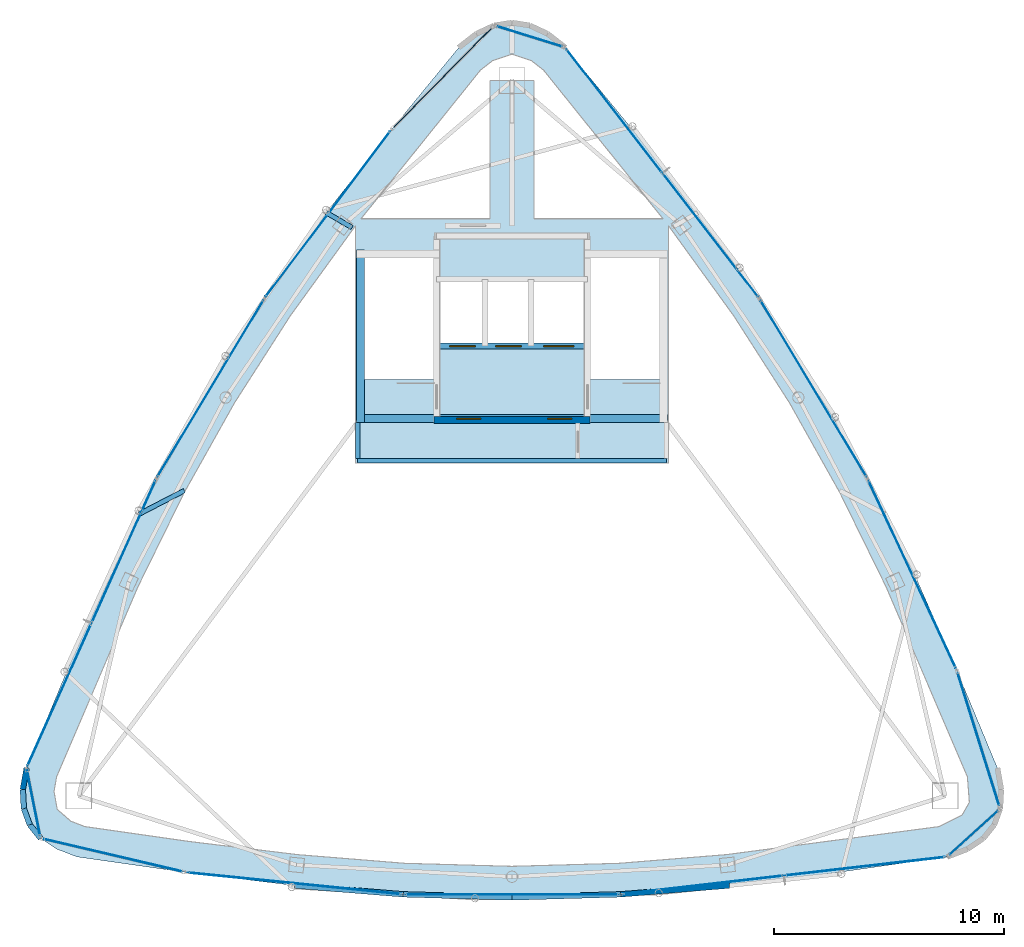
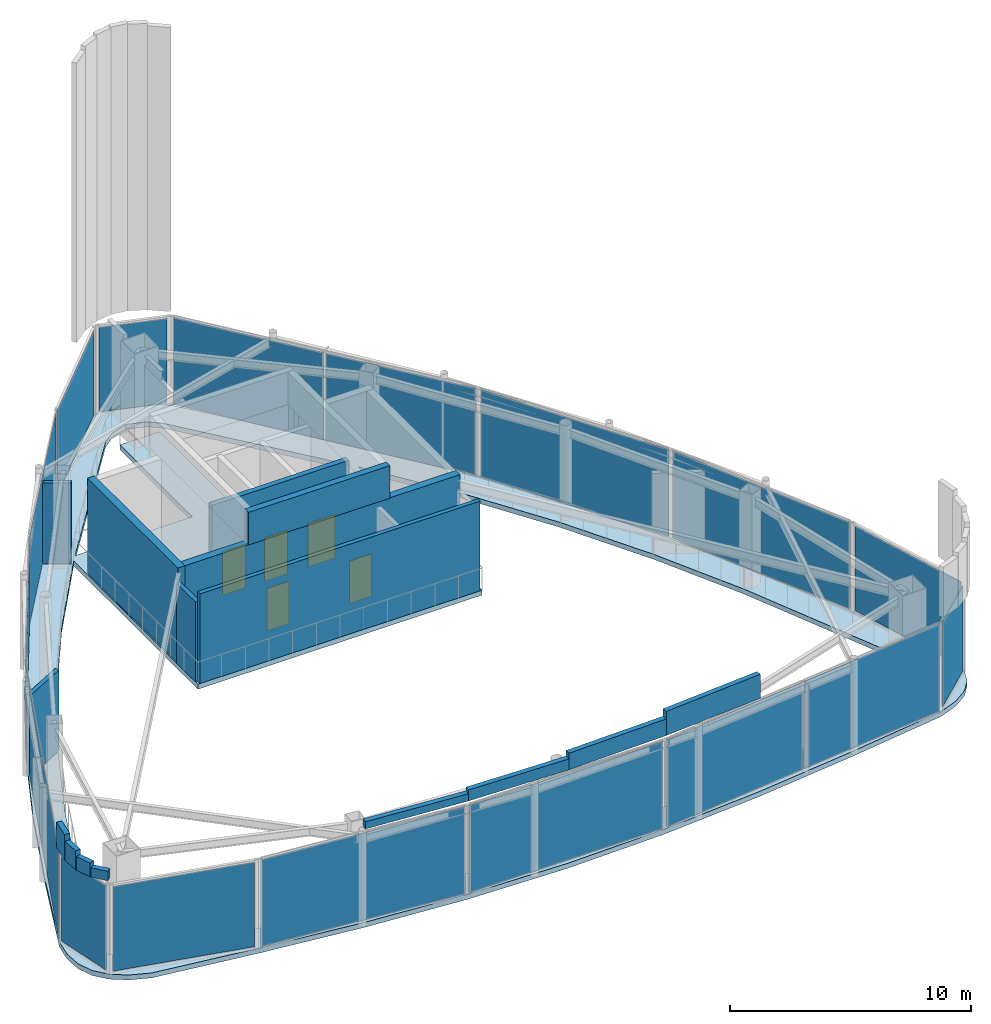
# One storey, part 15 of 18: 18 plates, 16 walls, 5 doors, 1 slab, 5 openings, 15 elements without a shape of their own.
"""IFC4 building model written with IfcOpenShell, lengths in metres."""

from ifc_helpers import new_model, si_unit, direction, frame, frame_2d, origin, origin_2d, place, context, subcontext, project, spatial, polyline, rectangle, outline, extrude, material, layer, layer_set, type_object, element, fill, aggregate, save


model = new_model("IFC4")

# Units and contexts
model_context = context("Model", 3, precision=1e-05, world=origin(), true_north=direction((0.0, 1.0)))
body_context = subcontext(model_context, "Body", "Model", "MODEL_VIEW")
ifc_project = project(units=[si_unit("LENGTHUNIT", "METRE"), si_unit("AREAUNIT", "SQUARE_METRE"), si_unit("VOLUMEUNIT", "CUBIC_METRE"), si_unit("PLANEANGLEUNIT", "RADIAN"), si_unit("MASSUNIT", "GRAM", prefix="KILO")], contexts=[model_context])

# Site, building, storey
site_placement = place(None, origin())
site = spatial("IfcSite", under=ifc_project, at=site_placement, CompositionType="ELEMENT")
building_placement = place(site_placement, origin())
building = spatial("IfcBuilding", under=site, at=building_placement, Name="Orvanel Arch Residences", CompositionType="ELEMENT")
storey_placement = place(building_placement, frame((0.0, 0.0, 310.10009765625)))
storey = spatial("IfcBuildingStorey", under=building, at=storey_placement, Name="L86", CompositionType="ELEMENT", Elevation=310.10009765625)

# Curtain wall, plate
ifc_material_1 = material(Name="Bronze-anodised aluminium AA6063-T6", Category="aluminium")
ifc_layer_1 = layer(ifc_material_1, 0.2099609375)
ifc_layer_set_1 = layer_set([ifc_layer_1], Name="Bronze-anodised aluminium AA6063-T6")
curtain_wall_type = type_object("IfcCurtainWallType", Name="CW7-TOP-SYS", PredefinedType="NOTDEFINED", material=ifc_layer_set_1)
curtain_wall_1_placement = place(storey_placement, origin())
curtain_wall_1 = element("IfcCurtainWall", 1, at=curtain_wall_1_placement, inside=storey, type_object=curtain_wall_type, Name="L86 CW7-TOP-SYS Unitised Curtain Wall", PredefinedType="NOTDEFINED")
ifc_material_2 = material(Name="Double-glazed solar-control low-E safety glass", Category="glass")
ifc_layer_2 = layer(ifc_material_2, 0.031982421875)
ifc_layer_set_2 = layer_set([ifc_layer_2], Name="Double-glazed solar-control low-E safety glass")
plate_type = type_object("IfcPlateType", Name="PNL-GLZ-32", PredefinedType="CURTAIN_PANEL", material=ifc_layer_set_2)
plate_1_placement = place(storey_placement, frame((33.771484375, 43.30859375, 0.1298828125), z_axis=(0.0, 0.0, 1.0), x_axis=(-0.954819263057, 0.297187104186, 0.0)))
plate_1 = element("IfcPlate", 2, at=plate_1_placement, type_object=plate_type, Name="CW-S7 panel 1.1", PredefinedType="CURTAIN_PANEL", context=body_context, shape_type="SweptSolid", body=[
    extrude(rectangle(XDim=2.893310546875, YDim=0.031982421875, at=origin_2d()), origin(), (0.0, 0.0, 1.0), 4.280029296875),
])
aggregate(curtain_wall_1, [plate_1])

curtain_wall_2_placement = place(storey_placement, origin())
curtain_wall_2 = element("IfcCurtainWall", 3, at=curtain_wall_2_placement, inside=storey, type_object=curtain_wall_type, Name="L86 CW7-TOP-SYS Unitised Curtain Wall", PredefinedType="NOTDEFINED")
plate_2_placement = place(storey_placement, frame((29.99560546875, 41.528564453125, 0.1298828125), z_axis=(0.0, 0.0, 1.0), x_axis=(-0.702658700907, -0.71152705503, 0.0)))
plate_2 = element("IfcPlate", 4, at=plate_2_placement, type_object=plate_type, Name="CW-S7 panel 1.1", PredefinedType="CURTAIN_PANEL", context=body_context, shape_type="SweptSolid", body=[
    extrude(rectangle(XDim=6.0146484375, YDim=0.031982421875, at=origin_2d()), origin(), (0.0, 0.0, 1.0), 4.280029296875),
])
aggregate(curtain_wall_2, [plate_2])

curtain_wall_3_placement = place(storey_placement, origin())
curtain_wall_3 = element("IfcCurtainWall", 5, at=curtain_wall_3_placement, inside=storey, type_object=curtain_wall_type, Name="L86 CW7-TOP-SYS Unitised Curtain Wall", PredefinedType="NOTDEFINED")
plate_3_placement = place(storey_placement, frame((12.236572265625, 10.03857421875, 0.1298828125), z_axis=(0.0, 0.0, 1.0), x_axis=(0.195615366274, -0.980680696495, 0.0)))
plate_3 = element("IfcPlate", 6, at=plate_3_placement, type_object=plate_type, Name="CW-S7 panel 1.1", PredefinedType="CURTAIN_PANEL", context=body_context, shape_type="SweptSolid", body=[
    extrude(rectangle(XDim=2.7724609375, YDim=0.031982421875, at=origin_2d()), origin(), (0.0, 0.0, 1.0), 4.280029296875),
])
aggregate(curtain_wall_3, [plate_3])

curtain_wall_4_placement = place(storey_placement, origin())
curtain_wall_4 = element("IfcCurtainWall", 7, at=curtain_wall_4_placement, inside=storey, type_object=curtain_wall_type, Name="L86 CW7-TOP-SYS Unitised Curtain Wall", PredefinedType="NOTDEFINED")
plate_4_placement = place(storey_placement, frame((15.689453125, 7.77197265625, 0.1298828125), z_axis=(0.0, 0.0, 1.0), x_axis=(0.973510919271, -0.22864052585, 0.0)))
plate_4 = element("IfcPlate", 8, at=plate_4_placement, type_object=plate_type, Name="CW-S7 panel 1.1", PredefinedType="CURTAIN_PANEL", context=body_context, shape_type="SweptSolid", body=[
    extrude(rectangle(XDim=6.12939453125, YDim=0.031982421875, at=origin_2d()), origin(), (0.0, 0.0, 1.0), 4.280029296875),
])
aggregate(curtain_wall_4, [plate_4])

curtain_wall_5_placement = place(storey_placement, origin())
curtain_wall_5 = element("IfcCurtainWall", 9, at=curtain_wall_5_placement, inside=storey, type_object=curtain_wall_type, Name="L86 CW7-TOP-SYS Unitised Curtain Wall", PredefinedType="NOTDEFINED")
plate_5_placement = place(storey_placement, frame((53.035400390625, 8.75244140625, 0.1298828125), z_axis=(0.0, 0.0, 1.0), x_axis=(0.740131415499, 0.672462257522, 0.0)))
plate_5 = element("IfcPlate", 10, at=plate_5_placement, type_object=plate_type, Name="CW-S7 panel 1.1", PredefinedType="CURTAIN_PANEL", context=body_context, shape_type="SweptSolid", body=[
    extrude(rectangle(XDim=2.773681640625, YDim=0.031982421875, at=origin_2d()), origin(), (0.0, 0.0, 1.0), 4.280029296875),
])
aggregate(curtain_wall_5, [plate_5])

curtain_wall_6_placement = place(storey_placement, origin())
curtain_wall_6 = element("IfcCurtainWall", 11, at=curtain_wall_6_placement, inside=storey, type_object=curtain_wall_type, Name="L86 CW7-TOP-SYS Unitised Curtain Wall", PredefinedType="NOTDEFINED")
plate_6_placement = place(storey_placement, frame((53.2451171875, 12.8095703125, 0.1298828125), z_axis=(0.0, 0.0, 1.0), x_axis=(-0.298901573542, 0.954283945864, 0.0)))
plate_6 = element("IfcPlate", 12, at=plate_6_placement, type_object=plate_type, Name="CW-S7 panel 1.1", PredefinedType="CURTAIN_PANEL", context=body_context, shape_type="SweptSolid", body=[
    extrude(rectangle(XDim=5.9697265625, YDim=0.031982421875, at=origin_2d()), origin(), (0.0, 0.0, 1.0), 4.280029296875),
])
aggregate(curtain_wall_6, [plate_6])

curtain_wall_7_placement = place(storey_placement, origin())
curtain_wall_7 = element("IfcCurtainWall", 13, at=curtain_wall_7_placement, inside=storey, type_object=curtain_wall_type, Name="L86 CW7-TOP-SYS Unitised Curtain Wall", PredefinedType="NOTDEFINED")
plate_7_placement = place(storey_placement, frame((25.009521484375, 35.60498046875, 0.06494140625), z_axis=(0.0, 0.0, 1.0), x_axis=(-0.600876351509, -0.799341985759, 0.0)))
plate_7 = element("IfcPlate", 14, at=plate_7_placement, type_object=plate_type, Name="CW-S7 panel 1.1", PredefinedType="CURTAIN_PANEL", context=body_context, shape_type="SweptSolid", body=[
    extrude(rectangle(XDim=8.97509765625, YDim=0.031982421875, at=origin_2d()), origin(), (0.0, 0.0, 1.0), 4.409912109375),
])
aggregate(curtain_wall_7, [plate_7])

curtain_wall_8_placement = place(storey_placement, origin())
curtain_wall_8 = element("IfcCurtainWall", 15, at=curtain_wall_8_placement, inside=storey, type_object=curtain_wall_type, Name="L86 CW7-TOP-SYS Unitised Curtain Wall", PredefinedType="NOTDEFINED")
plate_8_placement = place(storey_placement, frame((19.912109375, 28.034423828125, 0.06494140625), z_axis=(0.0, 0.0, 1.0), x_axis=(-0.514447133788, -0.857522096821, 0.0)))
plate_8 = element("IfcPlate", 16, at=plate_8_placement, type_object=plate_type, Name="CW-S7 panel 1.1", PredefinedType="CURTAIN_PANEL", context=body_context, shape_type="SweptSolid", body=[
    extrude(rectangle(XDim=8.923828125, YDim=0.031982421875, at=origin_2d()), origin(), (0.0, 0.0, 1.0), 4.409912109375),
])
aggregate(curtain_wall_8, [plate_8])

# Curtain wall, plates
curtain_wall_9_placement = place(storey_placement, origin())
curtain_wall_9 = element("IfcCurtainWall", 17, at=curtain_wall_9_placement, inside=storey, type_object=curtain_wall_type, Name="L86 CW7-TOP-SYS Unitised Curtain Wall", PredefinedType="NOTDEFINED")
plate_9_placement = place(storey_placement, frame((16.147216796875, 20.96044921875, 0.06494140625), z_axis=(0.0, 0.0, 1.0), x_axis=(-0.40935286193, -0.912376147447, 0.0)))
plate_9 = element("IfcPlate", 18, at=plate_9_placement, type_object=plate_type, Name="CW-S7 panel 1.1", PredefinedType="CURTAIN_PANEL", context=body_context, shape_type="SweptSolid", body=[
    extrude(rectangle(XDim=6.751953125, YDim=0.031982421875, at=origin_2d()), origin(), (0.0, 0.0, 1.0), 4.409912109375),
])
plate_10_placement = place(storey_placement, frame((13.352783203125, 14.731689453125, 0.06494140625), z_axis=(0.0, 0.0, 1.0), x_axis=(-0.40935286193, -0.912376147447, 0.0)))
plate_10 = element("IfcPlate", 19, at=plate_10_placement, type_object=plate_type, Name="CW-S7 panel 2.1", PredefinedType="CURTAIN_PANEL", context=body_context, shape_type="SweptSolid", body=[
    extrude(rectangle(XDim=6.751953125, YDim=0.031982421875, at=origin_2d()), origin(), (0.0, 0.0, 1.0), 4.409912109375),
])
aggregate(curtain_wall_9, [plate_9, plate_10])

# Curtain wall, plate
curtain_wall_10_placement = place(storey_placement, origin())
curtain_wall_10 = element("IfcCurtainWall", 20, at=curtain_wall_10_placement, inside=storey, type_object=curtain_wall_type, Name="L86 CW7-TOP-SYS Unitised Curtain Wall", PredefinedType="NOTDEFINED")
plate_11_placement = place(storey_placement, frame((23.55859375, 6.554931640625, 0.06494140625), z_axis=(0.0, 0.0, 1.0), x_axis=(0.994932912487, -0.10054103466, 0.0)))
plate_11 = element("IfcPlate", 21, at=plate_11_placement, type_object=plate_type, Name="CW-S7 panel 1.1", PredefinedType="CURTAIN_PANEL", context=body_context, shape_type="SweptSolid", body=[
    extrude(rectangle(XDim=9.298828125, YDim=0.031982421875, at=origin_2d()), origin(), (0.0, 0.0, 1.0), 4.409912109375),
])
aggregate(curtain_wall_10, [plate_11])

curtain_wall_11_placement = place(storey_placement, origin())
curtain_wall_11 = element("IfcCurtainWall", 22, at=curtain_wall_11_placement, inside=storey, type_object=curtain_wall_type, Name="L86 CW7-TOP-SYS Unitised Curtain Wall", PredefinedType="NOTDEFINED")
plate_12_placement = place(storey_placement, frame((33.0, 6.077880859375, 0.06494140625), z_axis=(0.0, 0.0, 1.0), x_axis=(1.0, 0.0, 0.0)))
plate_12 = element("IfcPlate", 23, at=plate_12_placement, type_object=plate_type, Name="CW-S7 panel 1.1", PredefinedType="CURTAIN_PANEL", context=body_context, shape_type="SweptSolid", body=[
    extrude(rectangle(XDim=9.251953125, YDim=0.031982421875, at=origin_2d()), origin(), (0.0, 0.0, 1.0), 4.409912109375),
])
aggregate(curtain_wall_11, [plate_12])

# Curtain wall, plates
curtain_wall_12_placement = place(storey_placement, origin())
curtain_wall_12 = element("IfcCurtainWall", 24, at=curtain_wall_12_placement, inside=storey, type_object=curtain_wall_type, Name="L86 CW7-TOP-SYS Unitised Curtain Wall", PredefinedType="NOTDEFINED")
plate_13_placement = place(storey_placement, frame((41.2900390625, 6.488037109375, 0.06494140625), z_axis=(0.0, 0.0, 1.0), x_axis=(0.9934526127, 0.11424494002, 0.0)))
plate_13 = element("IfcPlate", 25, at=plate_13_placement, type_object=plate_type, Name="CW-S7 panel 1.1", PredefinedType="CURTAIN_PANEL", context=body_context, shape_type="SweptSolid", body=[
    extrude(rectangle(XDim=6.9951171875, YDim=0.031982421875, at=origin_2d()), origin(), (0.0, 0.0, 1.0), 4.409912109375),
])
plate_14_placement = place(storey_placement, frame((48.31396484375, 7.2958984375, 0.06494140625), z_axis=(0.0, 0.0, 1.0), x_axis=(0.9934526127, 0.11424494002, 0.0)))
plate_14 = element("IfcPlate", 26, at=plate_14_placement, type_object=plate_type, Name="CW-S7 panel 2.1", PredefinedType="CURTAIN_PANEL", context=body_context, shape_type="SweptSolid", body=[
    extrude(rectangle(XDim=6.9951171875, YDim=0.031982421875, at=origin_2d()), origin(), (0.0, 0.0, 1.0), 4.409912109375),
])
aggregate(curtain_wall_12, [plate_13, plate_14])

# Curtain wall, plate
curtain_wall_13_placement = place(storey_placement, origin())
curtain_wall_13 = element("IfcCurtainWall", 27, at=curtain_wall_13_placement, inside=storey, type_object=curtain_wall_type, Name="L86 CW7-TOP-SYS Unitised Curtain Wall", PredefinedType="NOTDEFINED")
plate_15_placement = place(storey_placement, frame((50.366943359375, 19.973388671875, 0.06494140625), z_axis=(0.0, 0.0, 1.0), x_axis=(-0.422363438385, 0.906426569511, 0.0)))
plate_15 = element("IfcPlate", 28, at=plate_15_placement, type_object=plate_type, Name="CW-S7 panel 1.1", PredefinedType="CURTAIN_PANEL", context=body_context, shape_type="SweptSolid", body=[
    extrude(rectangle(XDim=8.974853515625, YDim=0.031982421875, at=origin_2d()), origin(), (0.0, 0.0, 1.0), 4.409912109375),
])
aggregate(curtain_wall_13, [plate_15])

curtain_wall_14_placement = place(storey_placement, origin())
curtain_wall_14 = element("IfcCurtainWall", 29, at=curtain_wall_14_placement, inside=storey, type_object=curtain_wall_type, Name="L86 CW7-TOP-SYS Unitised Curtain Wall", PredefinedType="NOTDEFINED")
plate_16_placement = place(storey_placement, frame((46.087890625, 28.034423828125, 0.06494140625), z_axis=(0.0, 0.0, 1.0), x_axis=(-0.514447133788, 0.857522096821, 0.0)))
plate_16 = element("IfcPlate", 30, at=plate_16_placement, type_object=plate_type, Name="CW-S7 panel 1.1", PredefinedType="CURTAIN_PANEL", context=body_context, shape_type="SweptSolid", body=[
    extrude(rectangle(XDim=8.923828125, YDim=0.031982421875, at=origin_2d()), origin(), (0.0, 0.0, 1.0), 4.409912109375),
])
aggregate(curtain_wall_14, [plate_16])

# Curtain wall, plates
curtain_wall_15_placement = place(storey_placement, origin())
curtain_wall_15 = element("IfcCurtainWall", 31, at=curtain_wall_15_placement, inside=storey, type_object=curtain_wall_type, Name="L86 CW7-TOP-SYS Unitised Curtain Wall", PredefinedType="NOTDEFINED")
plate_17_placement = place(storey_placement, frame((41.619384765625, 34.686279296875, 0.06494140625), z_axis=(0.0, 0.0, 1.0), x_axis=(-0.612259873102, 0.790656592833, 0.0)))
plate_17 = element("IfcPlate", 32, at=plate_17_placement, type_object=plate_type, Name="CW-S7 panel 1.1", PredefinedType="CURTAIN_PANEL", context=body_context, shape_type="SweptSolid", body=[
    extrude(rectangle(XDim=6.75146484375, YDim=0.031982421875, at=origin_2d()), origin(), (0.0, 0.0, 1.0), 4.409912109375),
])
plate_18_placement = place(storey_placement, frame((37.439697265625, 40.083740234375, 0.06494140625), z_axis=(0.0, 0.0, 1.0), x_axis=(-0.612259873102, 0.790656592833, 0.0)))
plate_18 = element("IfcPlate", 33, at=plate_18_placement, type_object=plate_type, Name="CW-S7 panel 2.1", PredefinedType="CURTAIN_PANEL", context=body_context, shape_type="SweptSolid", body=[
    extrude(rectangle(XDim=6.75146484375, YDim=0.031982421875, at=origin_2d()), origin(), (0.0, 0.0, 1.0), 4.409912109375),
])
aggregate(curtain_wall_15, [plate_17, plate_18])

# Slab
ifc_material_3 = material(Name="Concrete N40 (40 MPa)", Category="concrete")
ifc_layer_3 = layer(ifc_material_3, 0.25)
ifc_layer_set_3 = layer_set([ifc_layer_3], Name="Concrete N40 (40 MPa)")
slab_type = type_object("IfcSlabType", Name="SLB-CRN-250", PredefinedType="FLOOR", material=ifc_layer_set_3)
slab_placement = place(storey_placement, frame((0.0, 0.0, -0.25)))
element("IfcSlab", 34, at=slab_placement, inside=storey, type_object=slab_type, Name="L86 Crown Conservatory Ring Gallery Slab", PredefinedType="FLOOR", context=body_context, shape_type="SweptSolid", body=[
    extrude(outline(polyline([(35.31494140625, 42.827880859375), (34.54296875, 43.428955078125), (33.77197265625, 43.7890625), (33.0, 43.908935546875), (32.22802734375, 43.7890625), (31.45703125, 43.428955078125), (30.68505859375, 42.827880859375), (27.762939453125, 39.26806640625), (24.927978515625, 35.654052734375), (22.256103515625, 31.94189453125), (19.797119140625, 28.10400390625), (17.568115234375, 24.126953125), (15.552001953125, 20.02197265625), (13.697998046875, 15.820068359375), (11.931884765625, 11.56494140625), (11.76611328125, 10.6220703125), (11.81201171875, 9.799072265625), (12.071044921875, 9.094970703125), (12.541015625, 8.511962890625), (13.222900390625, 8.049072265625), (14.116943359375, 7.7060546875), (18.837890625, 7.031982421875), (23.55908203125, 6.4599609375), (28.279052734375, 6.077880859375), (33.0, 5.944091796875), (37.720947265625, 6.077880859375), (42.44091796875, 6.4599609375), (47.162109375, 7.031982421875), (51.883056640625, 7.7060546875), (52.777099609375, 8.049072265625), (53.458984375, 8.511962890625), (53.928955078125, 9.094970703125), (54.18798828125, 9.799072265625), (54.23388671875, 10.6220703125), (54.068115234375, 11.56494140625), (52.302001953125, 15.820068359375), (50.447998046875, 20.02197265625), (48.431884765625, 24.126953125), (46.202880859375, 28.10400390625), (43.743896484375, 31.94189453125), (41.072021484375, 35.654052734375), (38.237060546875, 39.26806640625), (35.31494140625, 42.827880859375)]), holes=[polyline([(26.60009765625, 28.429931640625), (26.60009765625, 33.699951171875), (29.60009765625, 33.699951171875), (29.60009765625, 28.429931640625), (26.60009765625, 28.429931640625)]), polyline([(36.39990234375, 28.429931640625), (36.39990234375, 33.699951171875), (39.39990234375, 33.699951171875), (39.39990234375, 28.429931640625), (36.39990234375, 28.429931640625)]), polyline([(29.89990234375, 32.64990234375), (31.75, 32.64990234375), (31.75, 29.949951171875), (29.89990234375, 29.949951171875), (29.89990234375, 32.64990234375)]), polyline([(31.89990234375, 32.64990234375), (33.75, 32.64990234375), (33.75, 29.949951171875), (31.89990234375, 29.949951171875), (31.89990234375, 32.64990234375)]), polyline([(33.89990234375, 32.64990234375), (36.10009765625, 32.64990234375), (36.10009765625, 29.949951171875), (33.89990234375, 29.949951171875), (33.89990234375, 32.64990234375)]), polyline([(39.554931640625, 35.39990234375), (33.949951171875, 35.39990234375), (33.949951171875, 41.39794921875), (32.050048828125, 41.39794921875), (32.050048828125, 35.39990234375), (26.445068359375, 35.39990234375), (31.633056640625, 41.85498046875), (32.166015625, 42.27001953125), (33.0, 42.54296875), (33.833984375, 42.27001953125), (34.366943359375, 41.85498046875), (39.554931640625, 35.39990234375)]), polyline([(42.626953125, 31.18310546875), (45.044921875, 27.408935546875), (47.236083984375, 23.4990234375), (49.22412109375, 19.451904296875), (52.763916015625, 11.18505859375), (52.85107421875, 10.075927734375), (52.533935546875, 9.51611328125), (51.5419921875, 9.02099609375), (42.304931640625, 7.802978515625), (37.64697265625, 7.426025390625), (33.0, 7.294921875), (28.35302734375, 7.426025390625), (23.695068359375, 7.802978515625), (19.014892578125, 8.3701171875), (14.4580078125, 9.02099609375), (13.85205078125, 9.25390625), (13.260986328125, 9.76904296875), (13.123046875, 10.5419921875), (13.236083984375, 11.18505859375), (16.77587890625, 19.451904296875), (18.763916015625, 23.4990234375), (20.955078125, 27.408935546875), (23.373046875, 31.18310546875), (26.199951171875, 35.087890625), (26.199951171875, 24.800048828125), (39.800048828125, 24.800048828125), (39.800048828125, 35.087890625), (42.626953125, 31.18310546875)])]), origin(), (0.0, 0.0, 1.0), 0.25),
])

# Walls
ifc_material_4 = material(Name="Precast concrete N50 (50 MPa)", Category="concrete")
ifc_layer_4 = layer(ifc_material_4, 0.239990234375)
ifc_layer_set_4 = layer_set([ifc_layer_4], Name="Precast concrete N50 (50 MPa)")
wall_type_1 = type_object("IfcWallType", Name="EW-BAL-240", PredefinedType="SOLIDWALL", material=ifc_layer_set_4)
wall_1_placement = place(storey_placement, frame((11.931884765625, 11.56494140625, 4.7998046875), z_axis=(0.0, 0.0, 1.0), x_axis=(-0.173159725512, -0.984893755418, 0.0)))
element("IfcWall", 35, at=wall_1_placement, inside=storey, type_object=wall_type_1, Name="L86 Slanted Crown Eaves Parapet Wall 15", PredefinedType="SOLIDWALL", context=body_context, shape_type="SweptSolid", body=[
    extrude(rectangle(XDim=0.957275390625, YDim=0.239990234375, at=frame_2d((0.478515625, 0.0))), origin(), (0.0, 0.0, 1.0), 1.28515625),
])
wall_2_placement = place(storey_placement, frame((11.76611328125, 10.6220703125, 4.7998046875), z_axis=(0.0, 0.0, 1.0), x_axis=(0.055683273447, -0.998448482926, 0.0)))
element("IfcWall", 36, at=wall_2_placement, inside=storey, type_object=wall_type_1, Name="L86 Slanted Crown Eaves Parapet Wall 16", PredefinedType="SOLIDWALL", context=body_context, shape_type="SweptSolid", body=[
    extrude(rectangle(XDim=0.82421875, YDim=0.239990234375, at=frame_2d((0.412109375, 0.0))), origin(), (0.0, 0.0, 1.0), 0.958984375),
])
wall_3_placement = place(storey_placement, frame((11.81201171875, 9.799072265625, 4.7998046875), z_axis=(0.0, 0.0, 1.0), x_axis=(0.345267991878, -0.938504136264, 0.0)))
element("IfcWall", 37, at=wall_3_placement, inside=storey, type_object=wall_type_1, Name="L86 Slanted Crown Eaves Parapet Wall 17", PredefinedType="SOLIDWALL", context=body_context, shape_type="SweptSolid", body=[
    extrude(rectangle(XDim=0.750244140625, YDim=0.239990234375, at=frame_2d((0.375, 0.0))), origin(), (0.0, 0.0, 1.0), 0.689208984375),
])
wall_4_placement = place(storey_placement, frame((12.071044921875, 9.094970703125, 4.7998046875), z_axis=(0.0, 0.0, 1.0), x_axis=(0.627593126969, -0.778541499845, 0.0)))
element("IfcWall", 38, at=wall_4_placement, inside=storey, type_object=wall_type_1, Name="L86 Slanted Crown Eaves Parapet Wall 18", PredefinedType="SOLIDWALL", context=body_context, shape_type="SweptSolid", body=[
    extrude(rectangle(XDim=0.748779296875, YDim=0.239990234375, at=frame_2d((0.37451171875, 0.0))), origin(), (0.0, 0.0, 1.0), 0.47607421875),
])
wall_5_placement = place(storey_placement, frame((23.55908203125, 6.4599609375, 4.7998046875), z_axis=(0.0, 0.0, 1.0), x_axis=(0.996739590347, -0.080685742456, 0.0)))
element("IfcWall", 39, at=wall_5_placement, inside=storey, type_object=wall_type_1, Name="L86 Slanted Crown Eaves Parapet Wall 23", PredefinedType="SOLIDWALL", context=body_context, shape_type="SweptSolid", body=[
    extrude(rectangle(XDim=4.7353515625, YDim=0.239990234375, at=frame_2d((2.36767578125, 0.0))), origin(), (0.0, 0.0, 1.0), 0.3681640625),
])
wall_6_placement = place(storey_placement, frame((28.279052734375, 6.077880859375, 4.7998046875), z_axis=(0.0, 0.0, 1.0), x_axis=(0.999598679422, -0.028328079657, 0.0)))
element("IfcWall", 40, at=wall_6_placement, inside=storey, type_object=wall_type_1, Name="L86 Slanted Crown Eaves Parapet Wall 24", PredefinedType="SOLIDWALL", context=body_context, shape_type="SweptSolid", body=[
    extrude(rectangle(XDim=4.722900390625, YDim=0.239990234375, at=frame_2d((2.361328125, 0.0))), origin(), (0.0, 0.0, 1.0), 0.55712890625),
])
wall_7_placement = place(storey_placement, frame((33.0, 5.944091796875, 4.7998046875), z_axis=(0.0, 0.0, 1.0), x_axis=(0.999598679422, 0.028328079657, 0.0)))
element("IfcWall", 41, at=wall_7_placement, inside=storey, type_object=wall_type_1, Name="L86 Slanted Crown Eaves Parapet Wall 25", PredefinedType="SOLIDWALL", context=body_context, shape_type="SweptSolid", body=[
    extrude(rectangle(XDim=4.722900390625, YDim=0.239990234375, at=frame_2d((2.361328125, 0.0))), origin(), (0.0, 0.0, 1.0), 0.840087890625),
])
wall_8_placement = place(storey_placement, frame((37.720947265625, 6.077880859375, 4.7998046875), z_axis=(0.0, 0.0, 1.0), x_axis=(0.996739590347, 0.080685742456, 0.0)))
element("IfcWall", 42, at=wall_8_placement, inside=storey, type_object=wall_type_1, Name="L86 Slanted Crown Eaves Parapet Wall 26", PredefinedType="SOLIDWALL", context=body_context, shape_type="SweptSolid", body=[
    extrude(rectangle(XDim=4.7353515625, YDim=0.239990234375, at=frame_2d((2.36767578125, 0.0))), origin(), (0.0, 0.0, 1.0), 1.218017578125),
])

# Wall, openings, doors
ifc_material_5 = material(Name="Concrete N50 (50 MPa)", Category="concrete")
ifc_layer_5 = layer(ifc_material_5, 0.25)
ifc_layer_set_5 = layer_set([ifc_layer_5], Name="Concrete N50 (50 MPa)")
wall_type_2 = type_object("IfcWallType", Name="SW-CORE-250", PredefinedType="SHEAR", material=ifc_layer_set_5)
wall_9_placement = place(storey_placement, frame((36.27490234375, 29.875, 0.0), z_axis=(0.0, 0.0, 1.0), x_axis=(-1.0, 0.0, 0.0)))
wall_9 = element("IfcWall", 43, at=wall_9_placement, inside=storey, type_object=wall_type_2, Name="L86 Emergency Lift Front Core Shear Wall", PredefinedType="SHEAR", context=body_context, shape_type="SweptSolid", body=[
    extrude(rectangle(XDim=6.5498046875, YDim=0.25, at=frame_2d((3.27490234375, 0.0))), origin(), (0.0, 0.0, 1.0), 4.7998046875),
])
opening_1_placement = place(wall_9_placement, frame((4.875, 0.0, 0.0)))
opening_1 = element("IfcOpeningElement", 44, at=opening_1_placement, cuts=wall_9, Name="Opening LD-110", PredefinedType="OPENING", context=body_context, shape_type="SweptSolid", body=[
    extrude(rectangle(XDim=1.10009765625, YDim=2.199951171875, at=frame_2d((0.550048828125, 1.10009765625))), frame((0.0, 0.135009765625, 0.0), z_axis=(0.0, -1.0, 0.0), x_axis=(1.0, 0.0, 0.0)), (0.0, 0.0, 1.0), 0.27001953125),
])
opening_2_placement = place(wall_9_placement, frame((2.875, 0.0, 0.0)))
opening_2 = element("IfcOpeningElement", 45, at=opening_2_placement, cuts=wall_9, Name="Opening LD-110", PredefinedType="OPENING", context=body_context, shape_type="SweptSolid", body=[
    extrude(rectangle(XDim=1.10009765625, YDim=2.199951171875, at=frame_2d((0.550048828125, 1.10009765625))), frame((0.0, 0.135009765625, 0.0), z_axis=(0.0, -1.0, 0.0), x_axis=(1.0, 0.0, 0.0)), (0.0, 0.0, 1.0), 0.27001953125),
])
opening_3_placement = place(wall_9_placement, frame((0.60009765625, 0.0, 0.0)))
opening_3 = element("IfcOpeningElement", 46, at=opening_3_placement, cuts=wall_9, Name="Opening LD-130", PredefinedType="OPENING", context=body_context, shape_type="SweptSolid", body=[
    extrude(rectangle(XDim=1.300048828125, YDim=2.199951171875, at=frame_2d((0.64990234375, 1.10009765625))), frame((0.0, 0.135009765625, 0.0), z_axis=(0.0, -1.0, 0.0), x_axis=(1.0, 0.0, 0.0)), (0.0, 0.0, 1.0), 0.27001953125),
])
ifc_material_6 = material(Name="Galvanised steel fire-resisting door assembly", Category="steel")
door_type_1 = type_object("IfcDoorType", Name="DR-LFT-1100", OperationType="NOTDEFINED", PredefinedType="DOOR", material=ifc_material_6)
door_1_placement = place(opening_1_placement, origin())
door_1 = element("IfcDoor", 47, at=door_1_placement, inside=storey, type_object=door_type_1, Name="LD-F1-L86 L86 Lift F1 Sliding Landing Door", OperationType="DOUBLE_DOOR_SLIDING", OverallHeight=2.199951171875, OverallWidth=1.10009765625, PredefinedType="DOOR", context=body_context, shape_type="SweptSolid", body=[
    extrude(rectangle(XDim=1.10009765625, YDim=2.199951171875, at=frame_2d((0.550048828125, 1.10009765625))), frame((0.0, 0.02490234375, 0.0), z_axis=(0.0, -1.0, 0.0), x_axis=(1.0, 0.0, 0.0)), (0.0, 0.0, 1.0), 0.050048828125),
])
fill(opening_1, door_1)
door_2_placement = place(opening_2_placement, origin())
door_2 = element("IfcDoor", 48, at=door_2_placement, inside=storey, type_object=door_type_1, Name="LD-F2-L86 L86 Lift F2 Sliding Landing Door", OperationType="DOUBLE_DOOR_SLIDING", OverallHeight=2.199951171875, OverallWidth=1.10009765625, PredefinedType="DOOR", context=body_context, shape_type="SweptSolid", body=[
    extrude(rectangle(XDim=1.10009765625, YDim=2.199951171875, at=frame_2d((0.550048828125, 1.10009765625))), frame((0.0, 0.02490234375, 0.0), z_axis=(0.0, -1.0, 0.0), x_axis=(1.0, 0.0, 0.0)), (0.0, 0.0, 1.0), 0.050048828125),
])
fill(opening_2, door_2)
door_type_2 = type_object("IfcDoorType", Name="DR-LFT-1300", OperationType="NOTDEFINED", PredefinedType="DOOR", material=ifc_material_6)
door_3_placement = place(opening_3_placement, origin())
door_3 = element("IfcDoor", 49, at=door_3_placement, inside=storey, type_object=door_type_2, Name="LD-G1-L86 L86 Lift G1 Sliding Landing Door", OperationType="DOUBLE_DOOR_SLIDING", OverallHeight=2.199951171875, OverallWidth=1.300048828125, PredefinedType="DOOR", context=body_context, shape_type="SweptSolid", body=[
    extrude(rectangle(XDim=1.300048828125, YDim=2.199951171875, at=frame_2d((0.64990234375, 1.10009765625))), frame((0.0, 0.02490234375, 0.0), z_axis=(0.0, -1.0, 0.0), x_axis=(1.0, 0.0, 0.0)), (0.0, 0.0, 1.0), 0.050048828125),
])
fill(opening_3, door_3)

ifc_layer_6 = layer(ifc_material_5, 0.35009765625)
ifc_layer_set_6 = layer_set([ifc_layer_6], Name="Concrete N50 (50 MPa)")
wall_type_3 = type_object("IfcWallType", Name="SW-CORE-350", PredefinedType="SHEAR", material=ifc_layer_set_6)
wall_10_placement = place(storey_placement, frame((26.25, 26.72509765625, 0.0), z_axis=(0.0, 0.0, 1.0), x_axis=(1.0, 0.0, 0.0)))
wall_10 = element("IfcWall", 50, at=wall_10_placement, inside=storey, type_object=wall_type_3, Name="L86 South Core Shear Wall", PredefinedType="SHEAR", context=body_context, shape_type="SweptSolid", body=[
    extrude(rectangle(XDim=13.5, YDim=0.35009765625, at=frame_2d((6.75, 0.0))), origin(), (0.0, 0.0, 1.0), 4.7998046875),
])
opening_4_placement = place(wall_10_placement, frame((4.35009765625, 0.0, 0.0)))
opening_4 = element("IfcOpeningElement", 51, at=opening_4_placement, cuts=wall_10, Name="Opening DF-060", PredefinedType="OPENING", context=body_context, shape_type="SweptSolid", body=[
    extrude(rectangle(XDim=1.050048828125, YDim=2.14990234375, at=frame_2d((0.52490234375, 1.074951171875))), frame((0.0, 0.18505859375, 0.0), z_axis=(0.0, -1.0, 0.0), x_axis=(1.0, 0.0, 0.0)), (0.0, 0.0, 1.0), 0.3701171875),
])
opening_5_placement = place(wall_10_placement, frame((8.300048828125, 0.0, 0.0)))
opening_5 = element("IfcOpeningElement", 52, at=opening_5_placement, cuts=wall_10, Name="Opening DF-060", PredefinedType="OPENING", context=body_context, shape_type="SweptSolid", body=[
    extrude(rectangle(XDim=1.050048828125, YDim=2.14990234375, at=frame_2d((0.52490234375, 1.074951171875))), frame((0.0, 0.18505859375, 0.0), z_axis=(0.0, -1.0, 0.0), x_axis=(1.0, 0.0, 0.0)), (0.0, 0.0, 1.0), 0.3701171875),
])
door_type_3 = type_object("IfcDoorType", Name="DR-FD60-1050", OperationType="NOTDEFINED", PredefinedType="DOOR", material=ifc_material_6)
door_4_placement = place(opening_4_placement, origin())
door_4 = element("IfcDoor", 53, at=door_4_placement, inside=storey, type_object=door_type_3, Name="DR-L86-FFL-W L86 West Smoke Lobby Door", OperationType="SINGLE_SWING_LEFT", OverallHeight=2.14990234375, OverallWidth=1.050048828125, PredefinedType="DOOR", context=body_context, shape_type="SweptSolid", body=[
    extrude(rectangle(XDim=1.050048828125, YDim=2.14990234375, at=frame_2d((0.52490234375, 1.074951171875))), frame((0.0, 0.02490234375, 0.0), z_axis=(0.0, -1.0, 0.0), x_axis=(1.0, 0.0, 0.0)), (0.0, 0.0, 1.0), 0.050048828125),
])
fill(opening_4, door_4)
door_5_placement = place(opening_5_placement, origin())
door_5 = element("IfcDoor", 54, at=door_5_placement, inside=storey, type_object=door_type_3, Name="DR-L86-FFL-E L86 East Smoke Lobby Door", OperationType="SINGLE_SWING_RIGHT", OverallHeight=2.14990234375, OverallWidth=1.050048828125, PredefinedType="DOOR", context=body_context, shape_type="SweptSolid", body=[
    extrude(rectangle(XDim=1.050048828125, YDim=2.14990234375, at=frame_2d((0.52490234375, 1.074951171875))), frame((0.0, 0.02490234375, 0.0), z_axis=(0.0, -1.0, 0.0), x_axis=(1.0, 0.0, 0.0)), (0.0, 0.0, 1.0), 0.050048828125),
])
fill(opening_5, door_5)

# Walls
wall_11_placement = place(storey_placement, frame((26.425048828125, 26.550048828125, 0.0), z_axis=(0.0, 0.0, 1.0), x_axis=(0.0, 1.0, 0.0)))
element("IfcWall", 55, at=wall_11_placement, inside=storey, type_object=wall_type_3, Name="L86 West Stair Shear Wall", PredefinedType="SHEAR", context=body_context, shape_type="SweptSolid", body=[
    extrude(rectangle(XDim=7.5, YDim=0.35009765625, at=frame_2d((3.75, 0.0))), origin(), (0.0, 0.0, 1.0), 4.7998046875),
])
ifc_layer_7 = layer(ifc_material_5, 0.300048828125)
ifc_layer_set_7 = layer_set([ifc_layer_7], Name="Concrete N50 (50 MPa)")
wall_type_4 = type_object("IfcWallType", Name="SW-HEAD-300", PredefinedType="SHEAR", material=ifc_layer_set_7)
wall_12_placement = place(storey_placement, frame((29.625, 26.675048828125, 4.7998046875), z_axis=(0.0, 0.0, 1.0), x_axis=(1.0, 0.0, 0.0)))
element("IfcWall", 56, at=wall_12_placement, inside=storey, type_object=wall_type_4, Name="L86 Skylight Lantern Core Curb Wall CWALL-RF-LAN-S", PredefinedType="SHEAR", context=body_context, shape_type="SweptSolid", body=[
    extrude(rectangle(XDim=6.75, YDim=0.300048828125, at=frame_2d((3.375, 0.0))), origin(), (0.0, 0.0, 1.0), 1.650146484375),
])
ifc_material_7 = material(Name="Fire-rated plasterboard lined steel stud partition", Category="steel")
ifc_layer_8 = layer(ifc_material_7, 0.199951171875)
ifc_layer_set_8 = layer_set([ifc_layer_8], Name="Fire-rated plasterboard lined steel stud partition")
wall_type_5 = type_object("IfcWallType", Name="W-PLT-200", PredefinedType="PARTITIONING", material=ifc_layer_set_8)
wall_13_placement = place(storey_placement, frame((26.300048828125, 24.89990234375, 0.0), z_axis=(0.0, 0.0, 1.0), x_axis=(1.0, 0.0, 0.0)))
element("IfcWall", 57, at=wall_13_placement, inside=storey, type_object=wall_type_5, Name="L86 Crown Plant Apron South Wall", PredefinedType="PARTITIONING", context=body_context, shape_type="SweptSolid", body=[
    extrude(rectangle(XDim=13.39990234375, YDim=0.199951171875, at=frame_2d((6.699951171875, 0.0))), origin(), (0.0, 0.0, 1.0), 4.539794921875),
])
wall_14_placement = place(storey_placement, frame((26.300048828125, 24.985107421875, 0.0), z_axis=(0.0, 0.0, 1.0), x_axis=(0.0, 1.0, 0.0)))
element("IfcWall", 58, at=wall_14_placement, inside=storey, type_object=wall_type_5, Name="L86 Crown Plant Apron West Wall", PredefinedType="PARTITIONING", context=body_context, shape_type="SweptSolid", body=[
    extrude(rectangle(XDim=1.56494140625, YDim=0.199951171875, at=frame_2d((0.782470703125, 0.0))), origin(), (0.0, 0.0, 1.0), 4.044921875),
])
wall_15_placement = place(storey_placement, frame((18.779052734375, 23.60498046875, 0.0), z_axis=(0.0, 0.0, 1.0), x_axis=(-0.887140685261, -0.461499084024, 0.0)))
element("IfcWall", 59, at=wall_15_placement, inside=storey, type_object=wall_type_5, Name="L86 Crown Catwalk Smoke Baffle Wall 2", PredefinedType="PARTITIONING", context=body_context, shape_type="SweptSolid", body=[
    extrude(rectangle(XDim=2.2060546875, YDim=0.199951171875, at=frame_2d((1.10302734375, 0.0))), origin(), (0.0, 0.0, 1.0), 4.098876953125),
])
wall_16_placement = place(storey_placement, frame((26.06103515625, 35.01708984375, 0.0), z_axis=(0.0, 0.0, 1.0), x_axis=(-0.865191492793, 0.501441602581, 0.0)))
element("IfcWall", 60, at=wall_16_placement, inside=storey, type_object=wall_type_5, Name="L86 Crown Catwalk Smoke Baffle Wall 4", PredefinedType="PARTITIONING", context=body_context, shape_type="SweptSolid", body=[
    extrude(rectangle(XDim=1.281982421875, YDim=0.199951171875, at=frame_2d((0.64111328125, 0.0))), origin(), (0.0, 0.0, 1.0), 4.098876953125),
])

save(model, "model.ifc")
